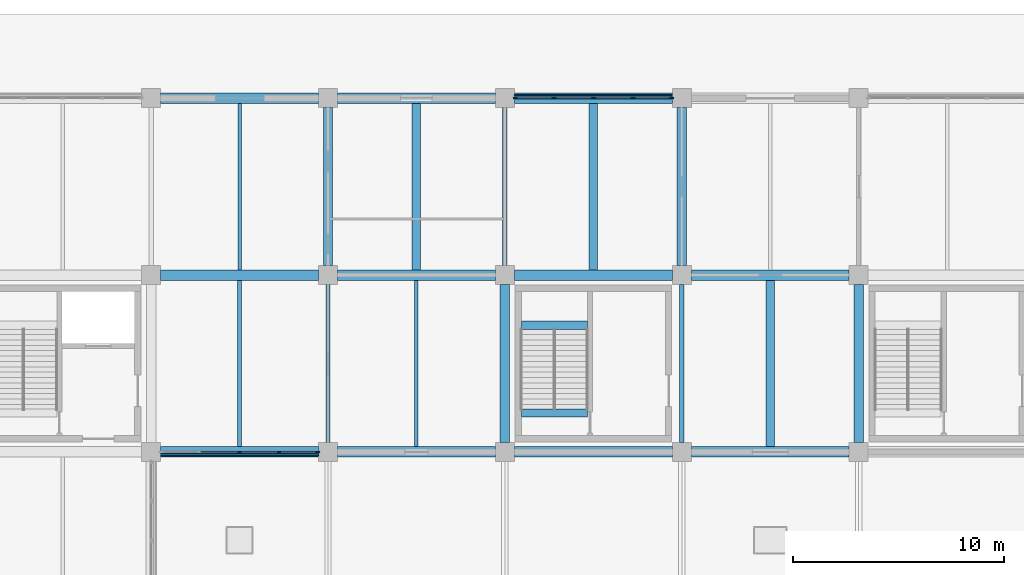
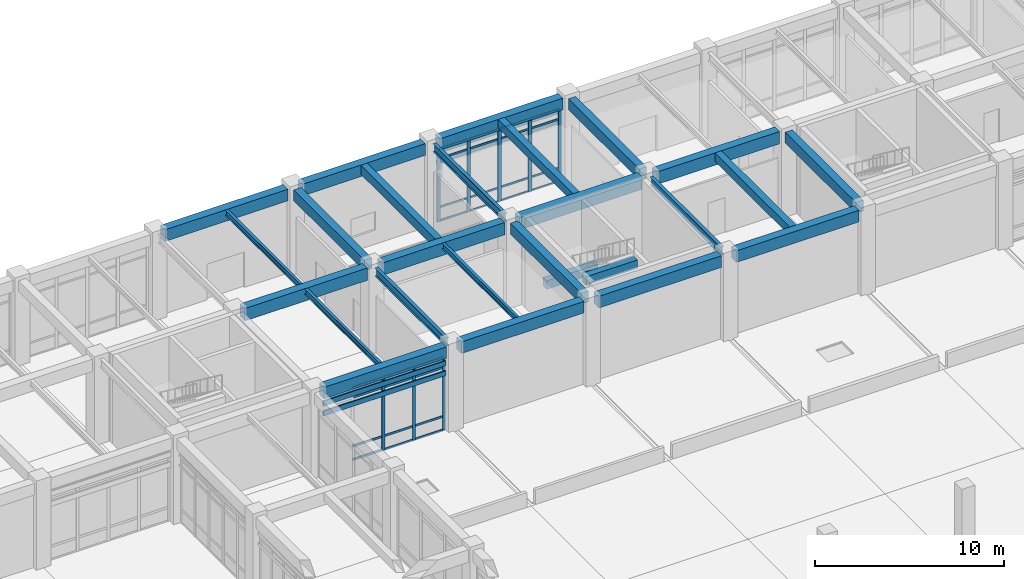
# One storey, part 29 of 91: 40 members, 26 beams, 2 elements without a shape of their own.
"""IFC4 building model written with IfcOpenShell, lengths in metres."""

from ifc_helpers import new_model, si_unit, direction, frame, origin, origin_2d, place, context, subcontext, project, spatial, rectangle, i_section, extrude, material, layer, layer_set, material_profile, profile_set, type_object, element, aggregate, save


model = new_model("IFC4")

# Units and contexts
model_context = context("Model", 3, precision=1e-05, world=origin(), true_north=direction((0.0, 1.0)))
body_context = subcontext(model_context, "Body", "Model", "MODEL_VIEW")
ifc_project = project(units=[si_unit("LENGTHUNIT", "METRE"), si_unit("AREAUNIT", "SQUARE_METRE"), si_unit("VOLUMEUNIT", "CUBIC_METRE"), si_unit("PLANEANGLEUNIT", "RADIAN"), si_unit("MASSUNIT", "GRAM", prefix="KILO")], contexts=[model_context])

# Site, building, storey
site_placement = place(None, origin())
site = spatial("IfcSite", under=ifc_project, at=site_placement, CompositionType="ELEMENT")
building_placement = place(site_placement, origin())
building = spatial("IfcBuilding", under=site, at=building_placement, Name="Porcellanite Civic Hall", CompositionType="ELEMENT")
storey_placement = place(building_placement, origin())
storey = spatial("IfcBuildingStorey", under=building, at=storey_placement, Name="L00", CompositionType="ELEMENT", Elevation=0.0)

# Beams
ifc_material_1 = material(Name="Concrete N50 (50 MPa)", Category="concrete")
ifc_material_profile_1 = material_profile(ifc_material_1, rectangle(XDim=0.39990234375, YDim=0.550048828125, at=origin_2d()), Name="RC-400x550")
ifc_profile_set_1 = profile_set([ifc_material_profile_1], Name="Concrete N50 (50 MPa)")
beam_type_1 = type_object("IfcBeamType", Name="BM-RC550", PredefinedType="JOIST", material=ifc_profile_set_1)
beam_1_placement = place(storey_placement, frame((79.800048828125, 109.449462890625, 5.22509765625), z_axis=(0.0, 1.0, 0.0), x_axis=(-1.0, 0.0, 0.0)))
element("IfcBeam", 1, at=beam_1_placement, inside=storey, type_object=beam_type_1, Name="Secondary joist L00 10-14", PredefinedType="JOIST", context=body_context, shape_type="SweptSolid", body=[
    extrude(rectangle(XDim=0.39990234375, YDim=0.550048828125, at=origin_2d()), origin(), (0.0, 0.0, 1.0), 7.901123046875),
])
beam_2_placement = place(storey_placement, frame((88.199951171875, 101.049560546875, 5.22509765625), z_axis=(0.0, 1.0, 0.0), x_axis=(-1.0, 0.0, 0.0)))
element("IfcBeam", 2, at=beam_2_placement, inside=storey, type_object=beam_type_1, Name="Secondary joist L00 11-13", PredefinedType="JOIST", context=body_context, shape_type="SweptSolid", body=[
    extrude(rectangle(XDim=0.39990234375, YDim=0.550048828125, at=origin_2d()), origin(), (0.0, 0.0, 1.0), 7.90087890625),
])
for number, where, z_axis, x_axis, name in (
    (3, (76.380615234375, 106.824951171875, 2.425048828125), (1.0, 0.0, 0.0), (0.0, 1.0, 0.0), "Stair landing beam S9 L00"),
    (4, (76.380615234375, 102.64990234375, 5.22509765625), (1.0, 0.0, 0.0), (0.0, 1.0, 0.0), "Stair header beam S9 L00"),
):
    element("IfcBeam", number, at=place(storey_placement, frame(where, z_axis=z_axis, x_axis=x_axis)), inside=storey, type_object=beam_type_1, Name=name, PredefinedType="JOIST", context=body_context, shape_type="SweptSolid", body=[
        extrude(rectangle(XDim=0.39990234375, YDim=0.550048828125, at=origin_2d()), origin(), (0.0, 0.0, 1.0), 3.138916015625),
    ])
ifc_material_2 = material(Name="Concrete N50 (50 MPa)", Category="concrete")
ifc_material_profile_2 = material_profile(ifc_material_2, rectangle(XDim=0.39990234375, YDim=0.60009765625, at=origin_2d()), Name="RC-400x600")
ifc_profile_set_2 = profile_set([ifc_material_profile_2], Name="Concrete N50 (50 MPa)")
beam_type_2 = type_object("IfcBeamType", Name="BM-RC600", PredefinedType="JOIST", material=ifc_profile_set_2)
beam_3_placement = place(storey_placement, frame((71.39990234375, 109.449462890625, 5.199951171875), z_axis=(0.0, 1.0, 0.0), x_axis=(-1.0, 0.0, 0.0)))
element("IfcBeam", 5, at=beam_3_placement, inside=storey, type_object=beam_type_2, Name="Secondary joist L00 9-14", PredefinedType="JOIST", context=body_context, shape_type="SweptSolid", body=[
    extrude(rectangle(XDim=0.39990234375, YDim=0.60009765625, at=origin_2d()), origin(), (0.0, 0.0, 1.0), 7.901123046875),
])
ifc_material_3 = material(Name="Concrete N50 (50 MPa)", Category="concrete")
ifc_material_profile_3 = material_profile(ifc_material_3, rectangle(XDim=0.449951171875, YDim=0.699951171875, at=origin_2d()), Name="RC-450x700")
ifc_profile_set_3 = profile_set([ifc_material_profile_3], Name="Concrete N50 (50 MPa)")
beam_type_3 = type_object("IfcBeamType", Name="BM-RC700", PredefinedType="BEAM", material=ifc_profile_set_3)
for number, where, z_axis, x_axis, name in (
    (6, (67.199951171875, 109.6494140625, 5.14990234375), (0.0, 1.0, 0.0), (-1.0, 0.0, 0.0), "Beam Y L00 9-14"),
    (7, (75.60009765625, 101.24951171875, 5.14990234375), (0.0, 1.0, 0.0), (-1.0, 0.0, 0.0), "Beam Y L00 10-13"),
    (8, (84.0, 109.6494140625, 5.14990234375), (0.0, 1.0, 0.0), (-1.0, 0.0, 0.0), "Beam Y L00 11-14"),
    (9, (92.39990234375, 101.24951171875, 5.14990234375), (0.0, 1.0, 0.0), (-1.0, 0.0, 0.0), "Beam Y L00 12-13"),
):
    element("IfcBeam", number, at=place(storey_placement, frame(where, z_axis=z_axis, x_axis=x_axis)), inside=storey, type_object=beam_type_3, Name=name, PredefinedType="BEAM", context=body_context, shape_type="SweptSolid", body=[
        extrude(rectangle(XDim=0.449951171875, YDim=0.699951171875, at=origin_2d()), origin(), (0.0, 0.0, 1.0), 7.5009765625),
    ])
ifc_material_4 = material(Name="Concrete N50 (50 MPa)", Category="concrete")
ifc_material_profile_4 = material_profile(ifc_material_4, rectangle(XDim=0.5, YDim=0.75, at=origin_2d()), Name="RC-500x750")
ifc_profile_set_4 = profile_set([ifc_material_profile_4], Name="Concrete N50 (50 MPa)")
beam_type_4 = type_object("IfcBeamType", Name="BM-RC750", PredefinedType="SPANDREL", material=ifc_profile_set_4)
for number, where, z_axis, x_axis, name in (
    (10, (59.24951171875, 100.800048828125, 5.125), (1.0, 0.0, 0.0), (0.0, 1.0, 0.0), "Beam X L00 8-13"),
    (11, (59.24951171875, 117.60009765625, 5.125), (1.0, 0.0, 0.0), (0.0, 1.0, 0.0), "Beam X L00 8-15"),
    (12, (67.6494140625, 100.800048828125, 5.125), (1.0, 0.0, 0.0), (0.0, 1.0, 0.0), "Beam X L00 9-13"),
    (13, (67.6494140625, 117.60009765625, 5.125), (1.0, 0.0, 0.0), (0.0, 1.0, 0.0), "Beam X L00 9-15"),
    (14, (76.049560546875, 100.800048828125, 5.125), (1.0, 0.0, 0.0), (0.0, 1.0, 0.0), "Beam X L00 10-13"),
    (15, (76.049560546875, 117.60009765625, 5.125), (1.0, 0.0, 0.0), (0.0, 1.0, 0.0), "Beam X L00 10-15"),
    (16, (84.449462890625, 100.800048828125, 5.125), (1.0, 0.0, 0.0), (0.0, 1.0, 0.0), "Beam X L00 11-13"),
):
    element("IfcBeam", number, at=place(storey_placement, frame(where, z_axis=z_axis, x_axis=x_axis)), inside=storey, type_object=beam_type_4, Name=name, PredefinedType="SPANDREL", context=body_context, shape_type="SweptSolid", body=[
        extrude(rectangle(XDim=0.5, YDim=0.75, at=origin_2d()), origin(), (0.0, 0.0, 1.0), 7.5009765625),
    ])
ifc_material_5 = material(Name="Concrete N50 (50 MPa)", Category="concrete")
ifc_material_profile_5 = material_profile(ifc_material_5, rectangle(XDim=0.5, YDim=0.800048828125, at=origin_2d()), Name="RC-500x800")
ifc_profile_set_5 = profile_set([ifc_material_profile_5], Name="Concrete N50 (50 MPa)")
beam_type_5 = type_object("IfcBeamType", Name="BM-RC800", PredefinedType="BEAM", material=ifc_profile_set_5)
for number, where, z_axis, x_axis, name in (
    (17, (59.24951171875, 109.199951171875, 5.10009765625), (1.0, 0.0, 0.0), (0.0, 1.0, 0.0), "Beam X L00 8-14"),
    (18, (67.6494140625, 109.199951171875, 5.10009765625), (1.0, 0.0, 0.0), (0.0, 1.0, 0.0), "Beam X L00 9-14"),
    (19, (76.049560546875, 109.199951171875, 5.10009765625), (1.0, 0.0, 0.0), (0.0, 1.0, 0.0), "Beam X L00 10-14"),
    (20, (84.449462890625, 109.199951171875, 5.10009765625), (1.0, 0.0, 0.0), (0.0, 1.0, 0.0), "Beam X L00 11-14"),
):
    element("IfcBeam", number, at=place(storey_placement, frame(where, z_axis=z_axis, x_axis=x_axis)), inside=storey, type_object=beam_type_5, Name=name, PredefinedType="BEAM", context=body_context, shape_type="SweptSolid", body=[
        extrude(rectangle(XDim=0.5, YDim=0.800048828125, at=origin_2d()), origin(), (0.0, 0.0, 1.0), 7.5009765625),
    ])

# Curtain wall, members
ifc_material_6 = material(Name="Anodised aluminium and solar laminated glass", Category="aluminium")
ifc_layer_1 = layer(ifc_material_6, 0.179931640625)
ifc_layer_set_1 = layer_set([ifc_layer_1], Name="Anodised aluminium and solar laminated glass")
curtain_wall_type_1 = type_object("IfcCurtainWallType", Name="CW-SYS03", PredefinedType="NOTDEFINED", material=ifc_layer_set_1)
curtain_wall_1_placement = place(storey_placement, origin())
curtain_wall_1 = element("IfcCurtainWall", 21, at=curtain_wall_1_placement, inside=storey, type_object=curtain_wall_type_1, Name="Curtain wall CW-030", PredefinedType="NOTDEFINED")
ifc_material_7 = material(Name="Anodised aluminium 6063-T6", Category="aluminium")
ifc_material_profile_6 = material_profile(ifc_material_7, rectangle(XDim=0.080078125, YDim=0.2099609375, at=origin_2d()), Name="AL-80x210")
ifc_profile_set_6 = profile_set([ifc_material_profile_6], Name="Anodised aluminium 6063-T6")
member_type_1 = type_object("IfcMemberType", Name="CWM-02", PredefinedType="MULLION", material=ifc_profile_set_6)
member_1_placement = place(storey_placement, frame((76.091064453125, 117.60009765625, 0.0), z_axis=(0.0, 0.0, 1.0), x_axis=(0.0, 1.0, 0.0)))
member_1 = element("IfcMember", 22, at=member_1_placement, type_object=member_type_1, Name="CW-030 mullion 1", PredefinedType="MULLION", context=body_context, shape_type="SweptSolid", body=[
    extrude(rectangle(XDim=0.080078125, YDim=0.2099609375, at=origin_2d()), origin(), (0.0, 0.0, 1.0), 4.699951171875),
])
member_2_placement = place(storey_placement, frame((77.925537109375, 117.60009765625, 0.0), z_axis=(0.0, 0.0, 1.0), x_axis=(0.0, 1.0, 0.0)))
member_2 = element("IfcMember", 23, at=member_2_placement, type_object=member_type_1, Name="CW-030 mullion 2", PredefinedType="MULLION", context=body_context, shape_type="SweptSolid", body=[
    extrude(rectangle(XDim=0.080078125, YDim=0.2099609375, at=origin_2d()), origin(), (0.0, 0.0, 1.0), 4.699951171875),
])
member_3_placement = place(storey_placement, frame((79.800048828125, 117.60009765625, 0.0), z_axis=(0.0, 0.0, 1.0), x_axis=(0.0, 1.0, 0.0)))
member_3 = element("IfcMember", 24, at=member_3_placement, type_object=member_type_1, Name="CW-030 mullion 3", PredefinedType="MULLION", context=body_context, shape_type="SweptSolid", body=[
    extrude(rectangle(XDim=0.080078125, YDim=0.2099609375, at=origin_2d()), origin(), (0.0, 0.0, 1.0), 4.699951171875),
])
member_4_placement = place(storey_placement, frame((81.674560546875, 117.60009765625, 0.0), z_axis=(0.0, 0.0, 1.0), x_axis=(0.0, 1.0, 0.0)))
member_4 = element("IfcMember", 25, at=member_4_placement, type_object=member_type_1, Name="CW-030 mullion 4", PredefinedType="MULLION", context=body_context, shape_type="SweptSolid", body=[
    extrude(rectangle(XDim=0.080078125, YDim=0.2099609375, at=origin_2d()), origin(), (0.0, 0.0, 1.0), 4.699951171875),
])
member_5_placement = place(storey_placement, frame((83.509033203125, 117.60009765625, 0.0), z_axis=(0.0, 0.0, 1.0), x_axis=(0.0, 1.0, 0.0)))
member_5 = element("IfcMember", 26, at=member_5_placement, type_object=member_type_1, Name="CW-030 mullion 5", PredefinedType="MULLION", context=body_context, shape_type="SweptSolid", body=[
    extrude(rectangle(XDim=0.080078125, YDim=0.2099609375, at=origin_2d()), origin(), (0.0, 0.0, 1.0), 4.699951171875),
])

ifc_material_8 = material(Name="Anodised aluminium and solar laminated glass", Category="aluminium")
ifc_layer_2 = layer(ifc_material_8, 0.179931640625)
ifc_layer_set_2 = layer_set([ifc_layer_2], Name="Anodised aluminium and solar laminated glass")
curtain_wall_type_2 = type_object("IfcCurtainWallType", Name="CW-SYS06", PredefinedType="NOTDEFINED", material=ifc_layer_set_2)
curtain_wall_2_placement = place(storey_placement, origin())
curtain_wall_2 = element("IfcCurtainWall", 27, at=curtain_wall_2_placement, inside=storey, type_object=curtain_wall_type_2, Name="Curtain wall CW-026", PredefinedType="NOTDEFINED")
ifc_material_9 = material(Name="Anodised aluminium 6063-T6", Category="aluminium")
ifc_material_profile_7 = material_profile(ifc_material_9, rectangle(XDim=0.06494140625, YDim=0.179931640625, at=origin_2d()), Name="AL-65x180")
ifc_profile_set_7 = profile_set([ifc_material_profile_7], Name="Anodised aluminium 6063-T6")
member_type_2 = type_object("IfcMemberType", Name="CWM-06", PredefinedType="MULLION", material=ifc_profile_set_7)
member_6_placement = place(storey_placement, frame((66.716552734375, 100.800048828125, 0.0), z_axis=(0.0, 0.0, 1.0), x_axis=(0.0, -1.0, 0.0)))
member_6 = element("IfcMember", 28, at=member_6_placement, type_object=member_type_2, Name="CW-026 mullion 1", PredefinedType="MULLION", context=body_context, shape_type="SweptSolid", body=[
    extrude(rectangle(XDim=0.06494140625, YDim=0.179931640625, at=origin_2d()), origin(), (0.0, 0.0, 1.0), 4.699951171875),
])
member_7_placement = place(storey_placement, frame((64.87451171875, 100.800048828125, 0.0), z_axis=(0.0, 0.0, 1.0), x_axis=(0.0, -1.0, 0.0)))
member_7 = element("IfcMember", 29, at=member_7_placement, type_object=member_type_2, Name="CW-026 mullion 2", PredefinedType="MULLION", context=body_context, shape_type="SweptSolid", body=[
    extrude(rectangle(XDim=0.06494140625, YDim=0.179931640625, at=origin_2d()), origin(), (0.0, 0.0, 1.0), 4.699951171875),
])
member_8_placement = place(storey_placement, frame((63.0, 100.800048828125, 0.0), z_axis=(0.0, 0.0, 1.0), x_axis=(0.0, -1.0, 0.0)))
member_8 = element("IfcMember", 30, at=member_8_placement, type_object=member_type_2, Name="CW-026 mullion 3", PredefinedType="MULLION", context=body_context, shape_type="SweptSolid", body=[
    extrude(rectangle(XDim=0.06494140625, YDim=0.179931640625, at=origin_2d()), origin(), (0.0, 0.0, 1.0), 4.699951171875),
])

# Member
ifc_material_10 = material(Name="Anodised aluminium 6063-T6", Category="aluminium")
ifc_material_profile_8 = material_profile(ifc_material_10, rectangle(XDim=0.054931640625, YDim=0.1201171875, at=origin_2d()), Name="AL-55x120")
ifc_profile_set_8 = profile_set([ifc_material_profile_8], Name="Anodised aluminium 6063-T6")
member_type_3 = type_object("IfcMemberType", Name="CWT-04", PredefinedType="USERDEFINED", material=ifc_profile_set_8)
member_9_placement = place(storey_placement, frame((76.131103515625, 117.60009765625, 0.027587890625), z_axis=(1.0, 0.0, 0.0), x_axis=(0.0, 1.0, 0.0)))
member_9 = element("IfcMember", 31, at=member_9_placement, type_object=member_type_3, Name="CW-030 transom 1.1", ObjectType="TRANSOM", PredefinedType="USERDEFINED", context=body_context, shape_type="SweptSolid", body=[
    extrude(rectangle(XDim=0.054931640625, YDim=0.1201171875, at=origin_2d()), origin(), (0.0, 0.0, 1.0), 1.75439453125),
])

member_10_placement = place(storey_placement, frame((76.131103515625, 117.60009765625, 0.89990234375), z_axis=(1.0, 0.0, 0.0), x_axis=(0.0, 1.0, 0.0)))
member_10 = element("IfcMember", 32, at=member_10_placement, type_object=member_type_3, Name="CW-030 transom 1.2", ObjectType="TRANSOM", PredefinedType="USERDEFINED", context=body_context, shape_type="SweptSolid", body=[
    extrude(rectangle(XDim=0.054931640625, YDim=0.1201171875, at=origin_2d()), origin(), (0.0, 0.0, 1.0), 1.75439453125),
])

member_11_placement = place(storey_placement, frame((76.131103515625, 117.60009765625, 4.050048828125), z_axis=(1.0, 0.0, 0.0), x_axis=(0.0, 1.0, 0.0)))
member_11 = element("IfcMember", 33, at=member_11_placement, type_object=member_type_3, Name="CW-030 transom 1.3", ObjectType="TRANSOM", PredefinedType="USERDEFINED", context=body_context, shape_type="SweptSolid", body=[
    extrude(rectangle(XDim=0.054931640625, YDim=0.1201171875, at=origin_2d()), origin(), (0.0, 0.0, 1.0), 1.75439453125),
])

member_12_placement = place(storey_placement, frame((76.131103515625, 117.60009765625, 4.672607421875), z_axis=(1.0, 0.0, 0.0), x_axis=(0.0, 1.0, 0.0)))
member_12 = element("IfcMember", 34, at=member_12_placement, type_object=member_type_3, Name="CW-030 transom 1.4", ObjectType="TRANSOM", PredefinedType="USERDEFINED", context=body_context, shape_type="SweptSolid", body=[
    extrude(rectangle(XDim=0.054931640625, YDim=0.1201171875, at=origin_2d()), origin(), (0.0, 0.0, 1.0), 1.75439453125),
])

member_13_placement = place(storey_placement, frame((77.965576171875, 117.60009765625, 0.027587890625), z_axis=(1.0, 0.0, 0.0), x_axis=(0.0, 1.0, 0.0)))
member_13 = element("IfcMember", 35, at=member_13_placement, type_object=member_type_3, Name="CW-030 transom 2.1", ObjectType="TRANSOM", PredefinedType="USERDEFINED", context=body_context, shape_type="SweptSolid", body=[
    extrude(rectangle(XDim=0.054931640625, YDim=0.1201171875, at=origin_2d()), origin(), (0.0, 0.0, 1.0), 1.79443359375),
])

member_14_placement = place(storey_placement, frame((77.965576171875, 117.60009765625, 0.89990234375), z_axis=(1.0, 0.0, 0.0), x_axis=(0.0, 1.0, 0.0)))
member_14 = element("IfcMember", 36, at=member_14_placement, type_object=member_type_3, Name="CW-030 transom 2.2", ObjectType="TRANSOM", PredefinedType="USERDEFINED", context=body_context, shape_type="SweptSolid", body=[
    extrude(rectangle(XDim=0.054931640625, YDim=0.1201171875, at=origin_2d()), origin(), (0.0, 0.0, 1.0), 1.79443359375),
])

member_15_placement = place(storey_placement, frame((77.965576171875, 117.60009765625, 4.050048828125), z_axis=(1.0, 0.0, 0.0), x_axis=(0.0, 1.0, 0.0)))
member_15 = element("IfcMember", 37, at=member_15_placement, type_object=member_type_3, Name="CW-030 transom 2.3", ObjectType="TRANSOM", PredefinedType="USERDEFINED", context=body_context, shape_type="SweptSolid", body=[
    extrude(rectangle(XDim=0.054931640625, YDim=0.1201171875, at=origin_2d()), origin(), (0.0, 0.0, 1.0), 1.79443359375),
])

member_16_placement = place(storey_placement, frame((77.965576171875, 117.60009765625, 4.672607421875), z_axis=(1.0, 0.0, 0.0), x_axis=(0.0, 1.0, 0.0)))
member_16 = element("IfcMember", 38, at=member_16_placement, type_object=member_type_3, Name="CW-030 transom 2.4", ObjectType="TRANSOM", PredefinedType="USERDEFINED", context=body_context, shape_type="SweptSolid", body=[
    extrude(rectangle(XDim=0.054931640625, YDim=0.1201171875, at=origin_2d()), origin(), (0.0, 0.0, 1.0), 1.79443359375),
])

member_17_placement = place(storey_placement, frame((79.840087890625, 117.60009765625, 0.027587890625), z_axis=(1.0, 0.0, 0.0), x_axis=(0.0, 1.0, 0.0)))
member_17 = element("IfcMember", 39, at=member_17_placement, type_object=member_type_3, Name="CW-030 transom 3.1", ObjectType="TRANSOM", PredefinedType="USERDEFINED", context=body_context, shape_type="SweptSolid", body=[
    extrude(rectangle(XDim=0.054931640625, YDim=0.1201171875, at=origin_2d()), origin(), (0.0, 0.0, 1.0), 1.79443359375),
])

member_18_placement = place(storey_placement, frame((79.840087890625, 117.60009765625, 0.89990234375), z_axis=(1.0, 0.0, 0.0), x_axis=(0.0, 1.0, 0.0)))
member_18 = element("IfcMember", 40, at=member_18_placement, type_object=member_type_3, Name="CW-030 transom 3.2", ObjectType="TRANSOM", PredefinedType="USERDEFINED", context=body_context, shape_type="SweptSolid", body=[
    extrude(rectangle(XDim=0.054931640625, YDim=0.1201171875, at=origin_2d()), origin(), (0.0, 0.0, 1.0), 1.79443359375),
])

member_19_placement = place(storey_placement, frame((79.840087890625, 117.60009765625, 4.050048828125), z_axis=(1.0, 0.0, 0.0), x_axis=(0.0, 1.0, 0.0)))
member_19 = element("IfcMember", 41, at=member_19_placement, type_object=member_type_3, Name="CW-030 transom 3.3", ObjectType="TRANSOM", PredefinedType="USERDEFINED", context=body_context, shape_type="SweptSolid", body=[
    extrude(rectangle(XDim=0.054931640625, YDim=0.1201171875, at=origin_2d()), origin(), (0.0, 0.0, 1.0), 1.79443359375),
])

member_20_placement = place(storey_placement, frame((79.840087890625, 117.60009765625, 4.672607421875), z_axis=(1.0, 0.0, 0.0), x_axis=(0.0, 1.0, 0.0)))
member_20 = element("IfcMember", 42, at=member_20_placement, type_object=member_type_3, Name="CW-030 transom 3.4", ObjectType="TRANSOM", PredefinedType="USERDEFINED", context=body_context, shape_type="SweptSolid", body=[
    extrude(rectangle(XDim=0.054931640625, YDim=0.1201171875, at=origin_2d()), origin(), (0.0, 0.0, 1.0), 1.79443359375),
])

member_21_placement = place(storey_placement, frame((81.714599609375, 117.60009765625, 0.027587890625), z_axis=(1.0, 0.0, 0.0), x_axis=(0.0, 1.0, 0.0)))
member_21 = element("IfcMember", 43, at=member_21_placement, type_object=member_type_3, Name="CW-030 transom 4.1", ObjectType="TRANSOM", PredefinedType="USERDEFINED", context=body_context, shape_type="SweptSolid", body=[
    extrude(rectangle(XDim=0.054931640625, YDim=0.1201171875, at=origin_2d()), origin(), (0.0, 0.0, 1.0), 1.75439453125),
])

member_22_placement = place(storey_placement, frame((81.714599609375, 117.60009765625, 0.89990234375), z_axis=(1.0, 0.0, 0.0), x_axis=(0.0, 1.0, 0.0)))
member_22 = element("IfcMember", 44, at=member_22_placement, type_object=member_type_3, Name="CW-030 transom 4.2", ObjectType="TRANSOM", PredefinedType="USERDEFINED", context=body_context, shape_type="SweptSolid", body=[
    extrude(rectangle(XDim=0.054931640625, YDim=0.1201171875, at=origin_2d()), origin(), (0.0, 0.0, 1.0), 1.75439453125),
])

member_23_placement = place(storey_placement, frame((81.714599609375, 117.60009765625, 4.050048828125), z_axis=(1.0, 0.0, 0.0), x_axis=(0.0, 1.0, 0.0)))
member_23 = element("IfcMember", 45, at=member_23_placement, type_object=member_type_3, Name="CW-030 transom 4.3", ObjectType="TRANSOM", PredefinedType="USERDEFINED", context=body_context, shape_type="SweptSolid", body=[
    extrude(rectangle(XDim=0.054931640625, YDim=0.1201171875, at=origin_2d()), origin(), (0.0, 0.0, 1.0), 1.75439453125),
])

member_24_placement = place(storey_placement, frame((81.714599609375, 117.60009765625, 4.672607421875), z_axis=(1.0, 0.0, 0.0), x_axis=(0.0, 1.0, 0.0)))
member_24 = element("IfcMember", 46, at=member_24_placement, type_object=member_type_3, Name="CW-030 transom 4.4", ObjectType="TRANSOM", PredefinedType="USERDEFINED", context=body_context, shape_type="SweptSolid", body=[
    extrude(rectangle(XDim=0.054931640625, YDim=0.1201171875, at=origin_2d()), origin(), (0.0, 0.0, 1.0), 1.75439453125),
])

aggregate(curtain_wall_1, [member_1, member_2, member_3, member_4, member_5, member_9, member_10, member_11, member_12, member_13, member_14, member_15, member_16, member_17, member_18, member_19, member_20, member_21, member_22, member_23, member_24])

ifc_material_11 = material(Name="Anodised aluminium 6063-T6", Category="aluminium")
ifc_material_profile_9 = material_profile(ifc_material_11, rectangle(XDim=0.050048828125, YDim=0.139892578125, at=origin_2d()), Name="AL-50x140")
ifc_profile_set_9 = profile_set([ifc_material_profile_9], Name="Anodised aluminium 6063-T6")
member_type_4 = type_object("IfcMemberType", Name="CWT-06", PredefinedType="USERDEFINED", material=ifc_profile_set_9)
member_25_placement = place(storey_placement, frame((66.68408203125, 100.800048828125, 0.02490234375), z_axis=(-1.0, 0.0, 0.0), x_axis=(0.0, -1.0, 0.0)))
member_25 = element("IfcMember", 47, at=member_25_placement, type_object=member_type_4, Name="CW-026 transom 1.1", ObjectType="TRANSOM", PredefinedType="USERDEFINED", context=body_context, shape_type="SweptSolid", body=[
    extrude(rectangle(XDim=0.050048828125, YDim=0.139892578125, at=origin_2d()), origin(), (0.0, 0.0, 1.0), 1.777099609375),
])

member_26_placement = place(storey_placement, frame((66.68408203125, 100.800048828125, 0.89990234375), z_axis=(-1.0, 0.0, 0.0), x_axis=(0.0, -1.0, 0.0)))
member_26 = element("IfcMember", 48, at=member_26_placement, type_object=member_type_4, Name="CW-026 transom 1.2", ObjectType="TRANSOM", PredefinedType="USERDEFINED", context=body_context, shape_type="SweptSolid", body=[
    extrude(rectangle(XDim=0.050048828125, YDim=0.139892578125, at=origin_2d()), origin(), (0.0, 0.0, 1.0), 1.777099609375),
])

member_27_placement = place(storey_placement, frame((66.68408203125, 100.800048828125, 4.050048828125), z_axis=(-1.0, 0.0, 0.0), x_axis=(0.0, -1.0, 0.0)))
member_27 = element("IfcMember", 49, at=member_27_placement, type_object=member_type_4, Name="CW-026 transom 1.3", ObjectType="TRANSOM", PredefinedType="USERDEFINED", context=body_context, shape_type="SweptSolid", body=[
    extrude(rectangle(XDim=0.050048828125, YDim=0.139892578125, at=origin_2d()), origin(), (0.0, 0.0, 1.0), 1.777099609375),
])

member_28_placement = place(storey_placement, frame((66.68408203125, 100.800048828125, 4.675048828125), z_axis=(-1.0, 0.0, 0.0), x_axis=(0.0, -1.0, 0.0)))
member_28 = element("IfcMember", 50, at=member_28_placement, type_object=member_type_4, Name="CW-026 transom 1.4", ObjectType="TRANSOM", PredefinedType="USERDEFINED", context=body_context, shape_type="SweptSolid", body=[
    extrude(rectangle(XDim=0.050048828125, YDim=0.139892578125, at=origin_2d()), origin(), (0.0, 0.0, 1.0), 1.777099609375),
])

member_29_placement = place(storey_placement, frame((64.842041015625, 100.800048828125, 0.02490234375), z_axis=(-1.0, 0.0, 0.0), x_axis=(0.0, -1.0, 0.0)))
member_29 = element("IfcMember", 51, at=member_29_placement, type_object=member_type_4, Name="CW-026 transom 2.1", ObjectType="TRANSOM", PredefinedType="USERDEFINED", context=body_context, shape_type="SweptSolid", body=[
    extrude(rectangle(XDim=0.050048828125, YDim=0.139892578125, at=origin_2d()), origin(), (0.0, 0.0, 1.0), 1.8095703125),
])

member_30_placement = place(storey_placement, frame((64.842041015625, 100.800048828125, 0.89990234375), z_axis=(-1.0, 0.0, 0.0), x_axis=(0.0, -1.0, 0.0)))
member_30 = element("IfcMember", 52, at=member_30_placement, type_object=member_type_4, Name="CW-026 transom 2.2", ObjectType="TRANSOM", PredefinedType="USERDEFINED", context=body_context, shape_type="SweptSolid", body=[
    extrude(rectangle(XDim=0.050048828125, YDim=0.139892578125, at=origin_2d()), origin(), (0.0, 0.0, 1.0), 1.8095703125),
])

member_31_placement = place(storey_placement, frame((64.842041015625, 100.800048828125, 4.050048828125), z_axis=(-1.0, 0.0, 0.0), x_axis=(0.0, -1.0, 0.0)))
member_31 = element("IfcMember", 53, at=member_31_placement, type_object=member_type_4, Name="CW-026 transom 2.3", ObjectType="TRANSOM", PredefinedType="USERDEFINED", context=body_context, shape_type="SweptSolid", body=[
    extrude(rectangle(XDim=0.050048828125, YDim=0.139892578125, at=origin_2d()), origin(), (0.0, 0.0, 1.0), 1.8095703125),
])

member_32_placement = place(storey_placement, frame((64.842041015625, 100.800048828125, 4.675048828125), z_axis=(-1.0, 0.0, 0.0), x_axis=(0.0, -1.0, 0.0)))
member_32 = element("IfcMember", 54, at=member_32_placement, type_object=member_type_4, Name="CW-026 transom 2.4", ObjectType="TRANSOM", PredefinedType="USERDEFINED", context=body_context, shape_type="SweptSolid", body=[
    extrude(rectangle(XDim=0.050048828125, YDim=0.139892578125, at=origin_2d()), origin(), (0.0, 0.0, 1.0), 1.8095703125),
])

member_33_placement = place(storey_placement, frame((62.967529296875, 100.800048828125, 0.02490234375), z_axis=(-1.0, 0.0, 0.0), x_axis=(0.0, -1.0, 0.0)))
member_33 = element("IfcMember", 55, at=member_33_placement, type_object=member_type_4, Name="CW-026 transom 3.1", ObjectType="TRANSOM", PredefinedType="USERDEFINED", context=body_context, shape_type="SweptSolid", body=[
    extrude(rectangle(XDim=0.050048828125, YDim=0.139892578125, at=origin_2d()), origin(), (0.0, 0.0, 1.0), 1.8095703125),
])

member_34_placement = place(storey_placement, frame((62.967529296875, 100.800048828125, 0.89990234375), z_axis=(-1.0, 0.0, 0.0), x_axis=(0.0, -1.0, 0.0)))
member_34 = element("IfcMember", 56, at=member_34_placement, type_object=member_type_4, Name="CW-026 transom 3.2", ObjectType="TRANSOM", PredefinedType="USERDEFINED", context=body_context, shape_type="SweptSolid", body=[
    extrude(rectangle(XDim=0.050048828125, YDim=0.139892578125, at=origin_2d()), origin(), (0.0, 0.0, 1.0), 1.8095703125),
])

member_35_placement = place(storey_placement, frame((62.967529296875, 100.800048828125, 4.050048828125), z_axis=(-1.0, 0.0, 0.0), x_axis=(0.0, -1.0, 0.0)))
member_35 = element("IfcMember", 57, at=member_35_placement, type_object=member_type_4, Name="CW-026 transom 3.3", ObjectType="TRANSOM", PredefinedType="USERDEFINED", context=body_context, shape_type="SweptSolid", body=[
    extrude(rectangle(XDim=0.050048828125, YDim=0.139892578125, at=origin_2d()), origin(), (0.0, 0.0, 1.0), 1.8095703125),
])

member_36_placement = place(storey_placement, frame((62.967529296875, 100.800048828125, 4.675048828125), z_axis=(-1.0, 0.0, 0.0), x_axis=(0.0, -1.0, 0.0)))
member_36 = element("IfcMember", 58, at=member_36_placement, type_object=member_type_4, Name="CW-026 transom 3.4", ObjectType="TRANSOM", PredefinedType="USERDEFINED", context=body_context, shape_type="SweptSolid", body=[
    extrude(rectangle(XDim=0.050048828125, YDim=0.139892578125, at=origin_2d()), origin(), (0.0, 0.0, 1.0), 1.8095703125),
])

aggregate(curtain_wall_2, [member_6, member_7, member_8, member_25, member_26, member_27, member_28, member_29, member_30, member_31, member_32, member_33, member_34, member_35, member_36])

# Beams
ifc_material_12 = material(Name="Steel Grade 350", Category="steel")
ifc_material_profile_10 = material_profile(ifc_material_12, i_section(OverallWidth=0.1708984375, OverallDepth=0.35595703125, WebThickness=0.00732421875, FlangeThickness=0.011474609375, FilletRadius=0.011474609375, at=origin_2d()), Name="360UB50.7")
ifc_profile_set_10 = profile_set([ifc_material_profile_10], Name="Steel Grade 350")
beam_type_6 = type_object("IfcBeamType", Name="JST-360UB51", PredefinedType="JOIST", material=ifc_profile_set_10)
beam_4_placement = place(storey_placement, frame((63.0, 109.449462890625, 5.322021484375), z_axis=(0.0, 1.0, 0.0), x_axis=(-1.0, 0.0, 0.0)))
element("IfcBeam", 59, at=beam_4_placement, inside=storey, type_object=beam_type_6, Name="Secondary joist L00 8-14", PredefinedType="JOIST", context=body_context, shape_type="SweptSolid", body=[
    extrude(i_section(OverallWidth=0.1708984375, OverallDepth=0.35595703125, WebThickness=0.00732421875, FlangeThickness=0.011474609375, FilletRadius=0.011474609375, at=origin_2d()), origin(), (0.0, 0.0, 1.0), 7.901123046875),
])
beam_5_placement = place(storey_placement, frame((71.39990234375, 101.049560546875, 5.322021484375), z_axis=(0.0, 1.0, 0.0), x_axis=(-1.0, 0.0, 0.0)))
element("IfcBeam", 60, at=beam_5_placement, inside=storey, type_object=beam_type_6, Name="Secondary joist L00 9-13", PredefinedType="JOIST", context=body_context, shape_type="SweptSolid", body=[
    extrude(i_section(OverallWidth=0.1708984375, OverallDepth=0.35595703125, WebThickness=0.00732421875, FlangeThickness=0.011474609375, FilletRadius=0.011474609375, at=origin_2d()), origin(), (0.0, 0.0, 1.0), 7.90087890625),
])
ifc_material_13 = material(Name="Steel Grade 350", Category="steel")
ifc_material_profile_11 = material_profile(ifc_material_13, i_section(OverallWidth=0.172119140625, OverallDepth=0.35888671875, WebThickness=0.008056640625, FlangeThickness=0.012939453125, FilletRadius=0.011474609375, at=origin_2d()), Name="360UB56.7")
ifc_profile_set_11 = profile_set([ifc_material_profile_11], Name="Steel Grade 350")
beam_type_7 = type_object("IfcBeamType", Name="JST-360UB57", PredefinedType="JOIST", material=ifc_profile_set_11)
beam_6_placement = place(storey_placement, frame((63.0, 101.049560546875, 5.320556640625), z_axis=(0.0, 1.0, 0.0), x_axis=(-1.0, 0.0, 0.0)))
element("IfcBeam", 61, at=beam_6_placement, inside=storey, type_object=beam_type_7, Name="Secondary joist L00 8-13", PredefinedType="JOIST", context=body_context, shape_type="SweptSolid", body=[
    extrude(i_section(OverallWidth=0.172119140625, OverallDepth=0.35888671875, WebThickness=0.008056640625, FlangeThickness=0.012939453125, FilletRadius=0.011474609375, at=origin_2d()), origin(), (0.0, 0.0, 1.0), 7.90087890625),
])

# Members
ifc_material_14 = material(Name="Fluoropolymer bauxite-red aluminium 6063-T6", Category="aluminium")
ifc_material_profile_12 = material_profile(ifc_material_14, rectangle(XDim=0.080078125, YDim=0.320068359375, at=origin_2d()), Name="AL-80x320")
ifc_profile_set_12 = profile_set([ifc_material_profile_12], Name="Fluoropolymer bauxite-red aluminium 6063-T6")
member_type_5 = type_object("IfcMemberType", Name="LV-BLD03", PredefinedType="USERDEFINED", material=ifc_profile_set_12)
for number, where, z_axis, x_axis, name in (
    (62, (66.75048828125, 100.66796875, 4.39990234375), (-1.0, 0.0, 0.0), (0.0, -1.0, 0.0), "Cyclone sunshade louvre L00 S 7-12 1"),
    (63, (66.75048828125, 100.66796875, 3.75), (-1.0, 0.0, 0.0), (0.0, -1.0, 0.0), "Cyclone sunshade louvre L00 S 7-12 2"),
):
    element("IfcMember", number, at=place(storey_placement, frame(where, z_axis=z_axis, x_axis=x_axis)), inside=storey, type_object=member_type_5, Name=name, ObjectType="LOUVRE BLADE", PredefinedType="USERDEFINED", context=body_context, shape_type="SweptSolid", body=[
        extrude(rectangle(XDim=0.080078125, YDim=0.320068359375, at=origin_2d()), origin(), (0.0, 0.0, 1.0), 7.5009765625),
    ])
ifc_material_15 = material(Name="Fluoropolymer bauxite-red aluminium 6063-T6", Category="aluminium")
ifc_material_profile_13 = material_profile(ifc_material_15, rectangle(XDim=0.06494140625, YDim=0.239990234375, at=origin_2d()), Name="AL-65x240")
ifc_profile_set_13 = profile_set([ifc_material_profile_13], Name="Fluoropolymer bauxite-red aluminium 6063-T6")
member_type_6 = type_object("IfcMemberType", Name="LV-BLD07", PredefinedType="USERDEFINED", material=ifc_profile_set_13)
for number, where, z_axis, x_axis, name in (
    (64, (76.049560546875, 117.739501953125, 4.39990234375), (1.0, 0.0, 0.0), (0.0, 1.0, 0.0), "Cyclone sunshade louvre L00 N 9-13 1"),
    (65, (76.049560546875, 117.739501953125, 3.75), (1.0, 0.0, 0.0), (0.0, 1.0, 0.0), "Cyclone sunshade louvre L00 N 9-13 2"),
):
    element("IfcMember", number, at=place(storey_placement, frame(where, z_axis=z_axis, x_axis=x_axis)), inside=storey, type_object=member_type_6, Name=name, ObjectType="LOUVRE BLADE", PredefinedType="USERDEFINED", context=body_context, shape_type="SweptSolid", body=[
        extrude(rectangle(XDim=0.06494140625, YDim=0.239990234375, at=origin_2d()), origin(), (0.0, 0.0, 1.0), 7.5009765625),
    ])

# Beams
ifc_material_16 = material(Name="Steel Grade 350", Category="steel")
ifc_material_profile_14 = material_profile(ifc_material_16, i_section(OverallWidth=0.208984375, OverallDepth=0.528076171875, WebThickness=0.009521484375, FlangeThickness=0.01318359375, FilletRadius=0.013916015625, at=origin_2d()), Name="530UB82.0")
ifc_profile_set_14 = profile_set([ifc_material_profile_14], Name="Steel Grade 350")
beam_type_8 = type_object("IfcBeamType", Name="RAF-530UB82", PredefinedType="BEAM", material=ifc_profile_set_14)
for number, where, z_axis, x_axis, name in (
    (66, (67.199951171875, 101.24951171875, 5.236083984375), (0.0, 1.0, 0.0), (-1.0, 0.0, 0.0), "Beam Y L00 9-13"),
    (67, (75.60009765625, 109.6494140625, 5.236083984375), (0.0, 1.0, 0.0), (-1.0, 0.0, 0.0), "Beam Y L00 10-14"),
    (68, (84.0, 101.24951171875, 5.236083984375), (0.0, 1.0, 0.0), (-1.0, 0.0, 0.0), "Beam Y L00 11-13"),
):
    element("IfcBeam", number, at=place(storey_placement, frame(where, z_axis=z_axis, x_axis=x_axis)), inside=storey, type_object=beam_type_8, Name=name, PredefinedType="BEAM", context=body_context, shape_type="SweptSolid", body=[
        extrude(i_section(OverallWidth=0.208984375, OverallDepth=0.528076171875, WebThickness=0.009521484375, FlangeThickness=0.01318359375, FilletRadius=0.013916015625, at=origin_2d()), origin(), (0.0, 0.0, 1.0), 7.5009765625),
    ])

save(model, "model.ifc")
